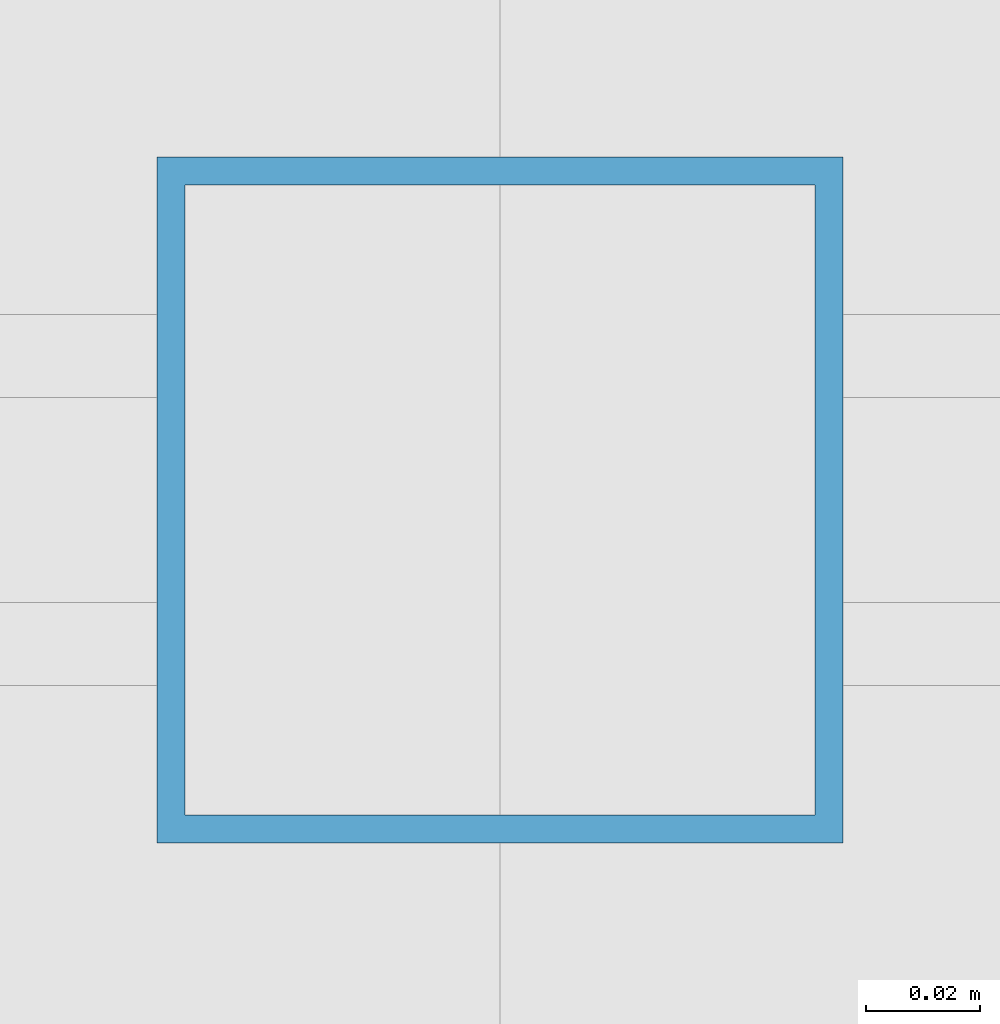
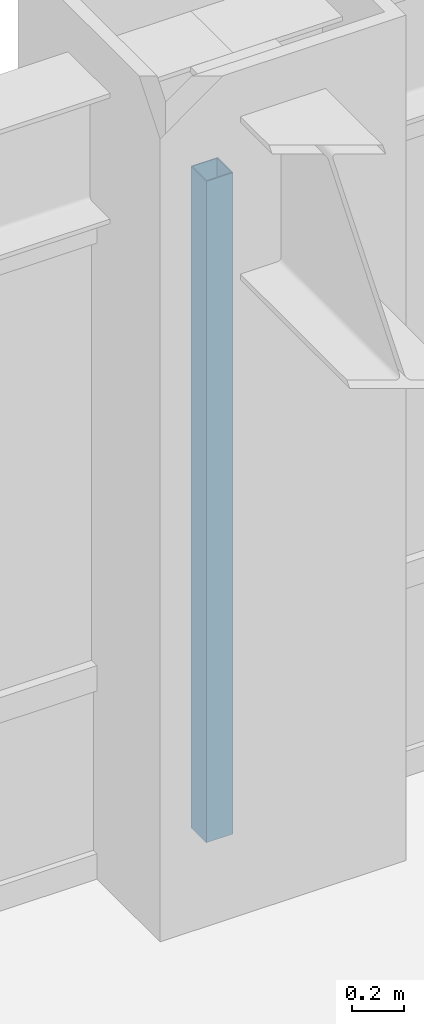
# One storey, part 16 of 24: 1 member, 1 element without a shape of its own.
"""IFC4 building model written with IfcOpenShell, lengths in metres."""

from ifc_helpers import new_model, si_unit, direction, frame, origin, origin_2d, place, context, subcontext, project, spatial, hollow_rectangle, extrude, source, transform, mapped, material, material_profile, profile_set, type_object, element, aggregate, save


model = new_model("IFC4")

# Units and contexts
model_context = context("Model", 3, precision=1e-05, world=origin(), true_north=direction((0.0, 1.0)))
body_context = subcontext(model_context, "Body", "Model", "MODEL_VIEW")
ifc_project = project(units=[si_unit("LENGTHUNIT", "METRE"), si_unit("AREAUNIT", "SQUARE_METRE"), si_unit("VOLUMEUNIT", "CUBIC_METRE"), si_unit("PLANEANGLEUNIT", "RADIAN"), si_unit("MASSUNIT", "GRAM", prefix="KILO")], contexts=[model_context])

# Site, building, storey
site_placement = place(None, origin())
site = spatial("IfcSite", under=ifc_project, at=site_placement, CompositionType="ELEMENT")
building_placement = place(site_placement, origin())
building = spatial("IfcBuilding", under=site, at=building_placement, Name="Khorayat Bourse Tower", CompositionType="ELEMENT")
storey_placement = place(building_placement, frame((0.0, 0.0, 163.10009765625)))
storey = spatial("IfcBuildingStorey", under=building, at=storey_placement, Name="L37", CompositionType="ELEMENT", Elevation=163.10009765625)

# Curtain wall, member
ifc_material = material(Name="Aluminium EN AW-6063 T6", Category="aluminium")
curtain_wall_type = type_object("IfcCurtainWallType", Name="CW-SYS-03", PredefinedType="NOTDEFINED", material=ifc_material)
curtain_wall_placement = place(storey_placement, origin())
curtain_wall = element("IfcCurtainWall", 1, at=curtain_wall_placement, inside=storey, type_object=curtain_wall_type, Name="L37 Curtain Wall CW-L37-N1", PredefinedType="NOTDEFINED")
ifc_material_profile = material_profile(ifc_material, hollow_rectangle(XDim=0.1201171875, YDim=0.1201171875, WallThickness=0.0048828125, at=origin_2d()), Name="ALU 120x120x5")
ifc_profile_set = profile_set([ifc_material_profile], Name="Aluminium EN AW-6063 T6")
member_type = type_object("IfcMemberType", Name="CWM-VERT-120", PredefinedType="MULLION", material=ifc_profile_set)
shared_shape = source(origin(), body_context, "Body", "SweptSolid", [
    extrude(hollow_rectangle(XDim=0.1201171875, YDim=0.1201171875, WallThickness=0.0048828125, at=origin_2d()), origin(), (0.0, 0.0, 1.0), 3.1298828125),
])
member_placement = place(storey_placement, frame((0.0, 30.0, 0.0), z_axis=(0.0, 0.0, 1.0), x_axis=(0.0, 1.0, 0.0)))
member = element("IfcMember", 2, at=member_placement, type_object=member_type, Name="CW-L37-N1 Vertical Mullion 2", PredefinedType="MULLION", context=body_context, shape_type="MappedRepresentation", body=[
    mapped(shared_shape, transform((0.0, 0.0, 0.0), scale=1.0)),
])
aggregate(curtain_wall, [member])

save(model, "model.ifc")
